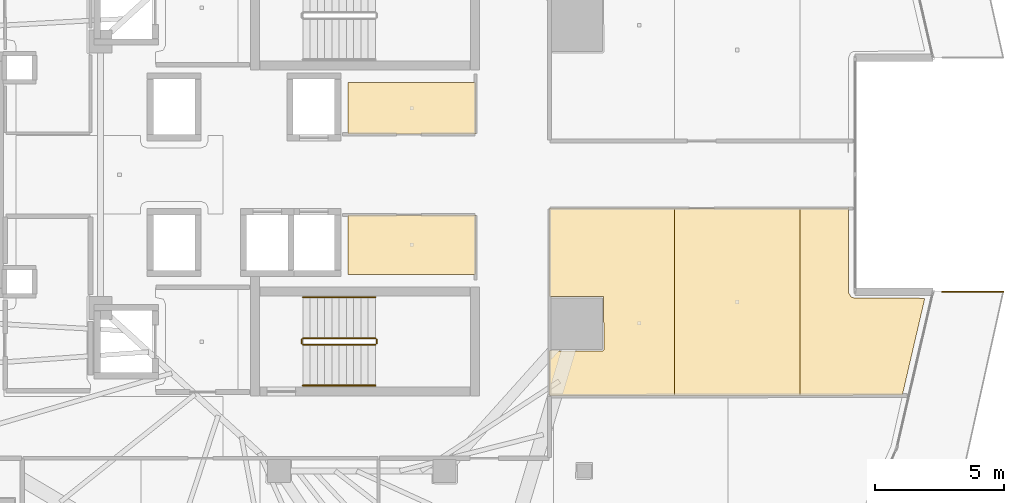
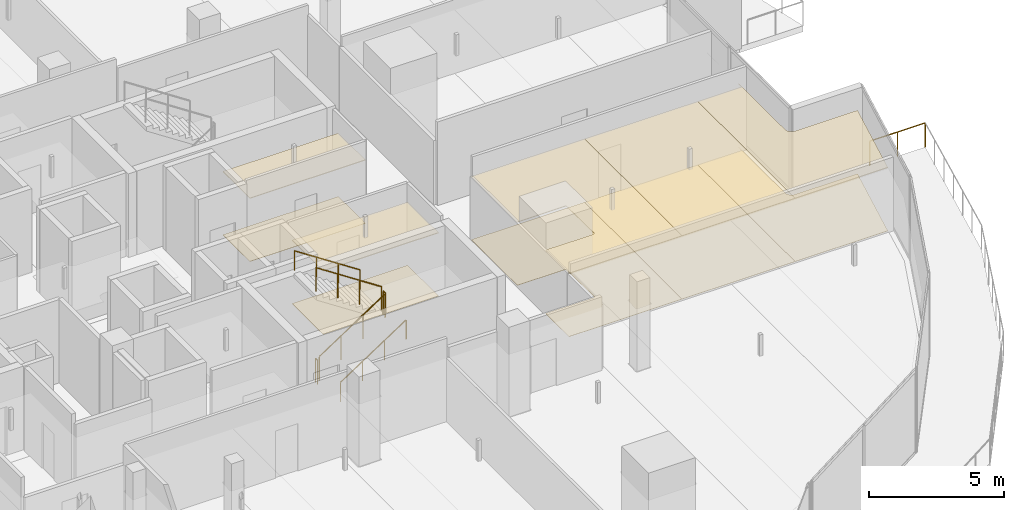
# One storey, part 34 of 36: 10 coverings, 7 railings.
"""IFC4 building model written with IfcOpenShell, lengths in metres."""

from ifc_helpers import new_model, si_unit, direction, frame, origin, origin_2d, place, context, subcontext, project, spatial, polyline, circle, outline, extrude, material, layer, layer_set, type_object, element, save


model = new_model("IFC4")

# Units and contexts
model_context = context("Model", 3, precision=1e-05, world=origin(), true_north=direction((0.0, 1.0)))
body_context = subcontext(model_context, "Body", "Model", "MODEL_VIEW")
ifc_project = project(units=[si_unit("LENGTHUNIT", "METRE"), si_unit("AREAUNIT", "SQUARE_METRE"), si_unit("VOLUMEUNIT", "CUBIC_METRE"), si_unit("PLANEANGLEUNIT", "RADIAN"), si_unit("MASSUNIT", "GRAM", prefix="KILO")], contexts=[model_context])

# Site, building, storey
site_placement = place(None, origin())
site = spatial("IfcSite", under=ifc_project, at=site_placement, CompositionType="ELEMENT")
building_placement = place(site_placement, origin())
building = spatial("IfcBuilding", under=site, at=building_placement, Name="Qorvath Tower", CompositionType="ELEMENT")
storey_placement = place(building_placement, frame((0.0, 0.0, 205.050048828125)))
storey = spatial("IfcBuildingStorey", under=building, at=storey_placement, Name="L47", CompositionType="ELEMENT", Elevation=205.050048828125)

# Coverings
ifc_material_1 = material(Name="Acoustic mineral fibre ceiling tile", Category="gypsum")
ifc_layer_1 = layer(ifc_material_1, 0.030029296875)
ifc_layer_set_1 = layer_set([ifc_layer_1], Name="COV-CEIL")
covering_type_1 = type_object("IfcCoveringType", Name="COV-CEIL", PredefinedType="CEILING", material=ifc_layer_set_1)
covering_1_placement = place(storey_placement, frame((0.0, 0.0, 2.849853515625)))
element("IfcCovering", 1, at=covering_1_placement, inside=storey, type_object=covering_type_1, Name="L47 Suspended Acoustic Ceiling 003", PredefinedType="CEILING", context=body_context, shape_type="SweptSolid", body=[
    extrude(outline(polyline([(-16.0048828125, 3.56005859375), (-20.93994140625, 3.56005859375), (-20.93994140625, 1.56494140625), (-16.0048828125, 1.56494140625), (-16.0048828125, 3.56005859375)])), origin(), (0.0, 0.0, 1.0), 0.030029296875),
])
covering_2_placement = place(storey_placement, frame((0.0, 0.0, 2.849853515625)))
element("IfcCovering", 2, at=covering_2_placement, inside=storey, type_object=covering_type_1, Name="L47 Suspended Acoustic Ceiling 004", PredefinedType="CEILING", context=body_context, shape_type="SweptSolid", body=[
    extrude(outline(polyline([(-20.93994140625, -1.56494140625), (-20.93994140625, -3.85009765625), (-16.0048828125, -3.85009765625), (-16.0048828125, -1.56494140625), (-20.93994140625, -1.56494140625)])), origin(), (0.0, 0.0, 1.0), 0.030029296875),
])
covering_3_placement = place(storey_placement, frame((0.0, 0.0, 2.849853515625)))
element("IfcCovering", 3, at=covering_3_placement, inside=storey, type_object=covering_type_1, Name="L47 Suspended Acoustic Ceiling 026", PredefinedType="CEILING", context=body_context, shape_type="SweptSolid", body=[
    extrude(outline(polyline([(-8.3037109375, -8.531494140625), (-8.3037109375, -1.31298828125), (-13.136962890625, -1.31298828125), (-13.136962890625, -4.714599609375), (-11.054443359375, -4.715576171875), (-11.036865234375, -6.7578125), (-11.0966796875, -6.81787109375), (-13.136962890625, -6.80126953125), (-13.136962890625, -8.537109375), (-8.3037109375, -8.531494140625)])), origin(), (0.0, 0.0, 1.0), 0.030029296875),
])
covering_4_placement = place(storey_placement, frame((0.0, 0.0, 2.849853515625)))
element("IfcCovering", 4, at=covering_4_placement, inside=storey, type_object=covering_type_1, Name="L47 Suspended Acoustic Ceiling 027", PredefinedType="CEILING", context=body_context, shape_type="SweptSolid", body=[
    extrude(outline(polyline([(-3.47021484375, -8.526123046875), (-3.47021484375, -1.31298828125), (-8.3037109375, -1.31298828125), (-8.3037109375, -8.531494140625), (-3.47021484375, -8.526123046875)])), origin(), (0.0, 0.0, 1.0), 0.030029296875),
])
covering_5_placement = place(storey_placement, frame((0.0, 0.0, 2.849853515625)))
element("IfcCovering", 5, at=covering_5_placement, inside=storey, type_object=covering_type_1, Name="L47 Suspended Acoustic Ceiling 028", PredefinedType="CEILING", context=body_context, shape_type="SweptSolid", body=[
    extrude(outline(polyline([(-1.491943359375, -4.715576171875), (-1.579345703125, -4.568603515625), (-1.583984375, -1.0869140625), (-1.60107421875, -1.31298828125), (-3.47021484375, -1.31298828125), (-3.47021484375, -8.526123046875), (0.49267578125, -8.521728515625), (1.363037109375, -4.77490234375), (-1.353515625, -4.773681640625), (-1.491943359375, -4.715576171875)])), origin(), (0.0, 0.0, 1.0), 0.030029296875),
])
ifc_material_2 = material(Name="Low-VOC modular carpet tile", Category="textile")
ifc_layer_2 = layer(ifc_material_2, 0.014892578125)
ifc_layer_set_2 = layer_set([ifc_layer_2], Name="COV-FLOOR-CPT")
covering_type_2 = type_object("IfcCoveringType", Name="COV-FLOOR-CPT", PredefinedType="FLOORING", material=ifc_layer_set_2)
covering_6_placement = place(storey_placement, origin())
element("IfcCovering", 6, at=covering_6_placement, inside=storey, type_object=covering_type_2, Name="L47 Floor Finish 003", PredefinedType="FLOORING", context=body_context, shape_type="SweptSolid", body=[
    extrude(outline(polyline([(-16.0048828125, 3.56005859375), (-20.93994140625, 3.56005859375), (-20.93994140625, 1.56494140625), (-16.0048828125, 1.56494140625), (-16.0048828125, 3.56005859375)])), origin(), (0.0, 0.0, 1.0), 0.014892578125),
])
covering_7_placement = place(storey_placement, origin())
element("IfcCovering", 7, at=covering_7_placement, inside=storey, type_object=covering_type_2, Name="L47 Floor Finish 004", PredefinedType="FLOORING", context=body_context, shape_type="SweptSolid", body=[
    extrude(outline(polyline([(-20.93994140625, -1.56494140625), (-20.93994140625, -3.85009765625), (-16.0048828125, -3.85009765625), (-16.0048828125, -1.56494140625), (-20.93994140625, -1.56494140625)])), origin(), (0.0, 0.0, 1.0), 0.014892578125),
])
covering_8_placement = place(storey_placement, origin())
element("IfcCovering", 8, at=covering_8_placement, inside=storey, type_object=covering_type_2, Name="L47 Floor Finish 026", PredefinedType="FLOORING", context=body_context, shape_type="SweptSolid", body=[
    extrude(outline(polyline([(-8.3037109375, -8.531494140625), (-8.3037109375, -1.31298828125), (-13.136962890625, -1.31298828125), (-13.136962890625, -4.714599609375), (-11.054443359375, -4.715576171875), (-11.036865234375, -6.7578125), (-11.0966796875, -6.81787109375), (-13.136962890625, -6.80126953125), (-13.136962890625, -8.537109375), (-8.3037109375, -8.531494140625)])), origin(), (0.0, 0.0, 1.0), 0.014892578125),
])
covering_9_placement = place(storey_placement, origin())
element("IfcCovering", 9, at=covering_9_placement, inside=storey, type_object=covering_type_2, Name="L47 Floor Finish 027", PredefinedType="FLOORING", context=body_context, shape_type="SweptSolid", body=[
    extrude(outline(polyline([(-3.47021484375, -8.526123046875), (-3.47021484375, -1.31298828125), (-8.3037109375, -1.31298828125), (-8.3037109375, -8.531494140625), (-3.47021484375, -8.526123046875)])), origin(), (0.0, 0.0, 1.0), 0.014892578125),
])
covering_10_placement = place(storey_placement, origin())
element("IfcCovering", 10, at=covering_10_placement, inside=storey, type_object=covering_type_2, Name="L47 Floor Finish 028", PredefinedType="FLOORING", context=body_context, shape_type="SweptSolid", body=[
    extrude(outline(polyline([(-1.491943359375, -4.715576171875), (-1.579345703125, -4.568603515625), (-1.583984375, -1.0869140625), (-1.60107421875, -1.31298828125), (-3.47021484375, -1.31298828125), (-3.47021484375, -8.526123046875), (0.49267578125, -8.521728515625), (1.363037109375, -4.77490234375), (-1.353515625, -4.773681640625), (-1.491943359375, -4.715576171875)])), origin(), (0.0, 0.0, 1.0), 0.014892578125),
])

# Railings
ifc_material_3 = material(Name="Laminated safety glass and stainless steel AISI 316", Category="steel")
railing_type_1 = type_object("IfcRailingType", Name="RL-EXT-GRD", PredefinedType="GUARDRAIL", material=ifc_material_3)
railing_1_placement = place(storey_placement, frame((2.03369140625, -4.519775390625, 0.0)))
element("IfcRailing", 11, at=railing_1_placement, inside=storey, type_object=railing_type_1, Name="Loggia Perimeter Guardrail L47-1.2", PredefinedType="GUARDRAIL", context=body_context, shape_type="SweptSolid", body=[
    extrude(circle(Radius=0.02392578125, at=origin_2d()), frame((0.0, 0.0, 1.09619140625), z_axis=(1.0, 0.0, 0.0), x_axis=(0.0, 1.0, 0.0)), (0.0, 0.0, 1.0), 2.36669921875),
    extrude(circle(Radius=0.02099609375, at=origin_2d()), origin(), (0.0, 0.0, 1.0), 1.072021484375),
    extrude(circle(Radius=0.02099609375, at=origin_2d()), frame((1.183349609375, 0.0, 0.0)), (0.0, 0.0, 1.0), 1.072021484375),
    extrude(circle(Radius=0.02099609375, at=origin_2d()), frame((2.36669921875, 0.0, 0.0)), (0.0, 0.0, 1.0), 1.072021484375),
])
ifc_material_4 = material(Name="Painted galvanised steel", Category="steel")
railing_type_2 = type_object("IfcRailingType", Name="RL-STR-GRD", PredefinedType="GUARDRAIL", material=ifc_material_4)
railing_2_placement = place(storey_placement, frame((-22.669921875, -6.570068359375, 0.18408203125)))
element("IfcRailing", 12, at=railing_2_placement, inside=storey, type_object=railing_type_2, Name="L47 TS2 stair guard 1", PredefinedType="GUARDRAIL", context=body_context, shape_type="SweptSolid", body=[
    extrude(circle(Radius=0.02392578125, at=origin_2d()), frame((0.0, 0.0, 1.076171875), z_axis=(0.835575518608, 0.0, 0.549375602573), x_axis=(0.0, 1.0, 0.0)), (0.0, 0.0, 1.0), 3.350830078125),
    extrude(circle(Radius=0.02099609375, at=origin_2d()), origin(), (0.0, 0.0, 1.0), 1.052001953125),
    extrude(circle(Radius=0.02099609375, at=origin_2d()), frame((0.933349609375, 0.0, 0.613525390625)), (0.0, 0.0, 1.0), 1.052001953125),
    extrude(circle(Radius=0.02099609375, at=origin_2d()), frame((1.866455078125, 0.0, 1.227294921875)), (0.0, 0.0, 1.0), 1.052001953125),
    extrude(circle(Radius=0.02099609375, at=origin_2d()), frame((2.7998046875, 0.0, 1.8408203125)), (0.0, 0.0, 1.0), 1.052001953125),
])
railing_3_placement = place(storey_placement, frame((-19.820068359375, -6.52001953125, 2.02490234375)))
element("IfcRailing", 13, at=railing_3_placement, inside=storey, type_object=railing_type_2, Name="L47 TS2 stair guard 2", PredefinedType="GUARDRAIL", context=body_context, shape_type="SweptSolid", body=[
    extrude(circle(Radius=0.02392578125, at=origin_2d()), frame((0.0, 0.0, 1.076171875), z_axis=(0.0, 1.0, 0.0), x_axis=(-1.0, 0.0, 0.0)), (0.0, 0.0, 1.0), 0.14990234375),
    extrude(circle(Radius=0.02099609375, at=origin_2d()), origin(), (0.0, 0.0, 1.0), 1.052001953125),
    extrude(circle(Radius=0.02099609375, at=origin_2d()), frame((0.0, 0.14990234375, 0.0)), (0.0, 0.0, 1.0), 1.052001953125),
])
railing_4_placement = place(storey_placement, frame((-19.8701171875, -6.320068359375, 2.208984375)))
element("IfcRailing", 14, at=railing_4_placement, inside=storey, type_object=railing_type_2, Name="L47 TS2 stair guard 3", PredefinedType="GUARDRAIL", context=body_context, shape_type="SweptSolid", body=[
    extrude(circle(Radius=0.02392578125, at=origin_2d()), frame((0.0, 0.0, 1.076171875), z_axis=(-0.835542071712, 0.0, 0.549426470421), x_axis=(0.0, -1.0, 0.0)), (0.0, 0.0, 1.0), 3.350830078125),
    extrude(circle(Radius=0.02099609375, at=origin_2d()), origin(), (0.0, 0.0, 1.0), 1.052001953125),
    extrude(circle(Radius=0.02099609375, at=origin_2d()), frame((-0.933349609375, 0.0, 0.61376953125)), (0.0, 0.0, 1.0), 1.052001953125),
    extrude(circle(Radius=0.02099609375, at=origin_2d()), frame((-1.866455078125, 0.0, 1.227294921875)), (0.0, 0.0, 1.0), 1.052001953125),
    extrude(circle(Radius=0.02099609375, at=origin_2d()), frame((-2.7998046875, 0.0, 1.841064453125)), (0.0, 0.0, 1.0), 1.052001953125),
])
railing_5_placement = place(storey_placement, frame((-22.719970703125, -6.52001953125, 0.0)))
element("IfcRailing", 15, at=railing_5_placement, inside=storey, type_object=railing_type_2, Name="L47 TS2 stair guard 4", PredefinedType="GUARDRAIL", context=body_context, shape_type="SweptSolid", body=[
    extrude(circle(Radius=0.02392578125, at=origin_2d()), frame((0.0, 0.0, 1.076171875), z_axis=(0.0, 1.0, 0.0), x_axis=(-1.0, 0.0, 0.0)), (0.0, 0.0, 1.0), 0.14990234375),
    extrude(circle(Radius=0.02099609375, at=origin_2d()), origin(), (0.0, 0.0, 1.0), 1.052001953125),
    extrude(circle(Radius=0.02099609375, at=origin_2d()), frame((0.0, 0.14990234375, 0.0)), (0.0, 0.0, 1.0), 1.052001953125),
])
ifc_material_5 = material(Name="Brushed stainless steel AISI 304", Category="steel")
railing_type_3 = type_object("IfcRailingType", Name="RL-STR-HND", PredefinedType="HANDRAIL", material=ifc_material_5)
railing_6_placement = place(storey_placement, frame((-22.669921875, -8.14990234375, 0.18408203125)))
element("IfcRailing", 16, at=railing_6_placement, inside=storey, type_object=railing_type_3, Name="L47 TS2 stair handrail 1", PredefinedType="HANDRAIL", context=body_context, shape_type="SweptSolid", body=[
    extrude(circle(Radius=0.02392578125, at=origin_2d()), frame((0.0, 0.0, 0.8759765625), z_axis=(0.835575518608, 0.0, 0.549375602573), x_axis=(0.0, 1.0, 0.0)), (0.0, 0.0, 1.0), 3.350830078125),
    extrude(circle(Radius=0.02099609375, at=origin_2d()), origin(), (0.0, 0.0, 1.0), 0.851806640625),
    extrude(circle(Radius=0.02099609375, at=origin_2d()), frame((0.933349609375, 0.0, 0.613525390625)), (0.0, 0.0, 1.0), 0.851806640625),
    extrude(circle(Radius=0.02099609375, at=origin_2d()), frame((1.866455078125, 0.0, 1.227294921875)), (0.0, 0.0, 1.0), 0.851806640625),
    extrude(circle(Radius=0.02099609375, at=origin_2d()), frame((2.7998046875, 0.0, 1.8408203125)), (0.0, 0.0, 1.0), 0.851806640625),
])
railing_7_placement = place(storey_placement, frame((-19.8701171875, -4.739990234375, 2.208984375)))
element("IfcRailing", 17, at=railing_7_placement, inside=storey, type_object=railing_type_3, Name="L47 TS2 stair handrail 2", PredefinedType="HANDRAIL", context=body_context, shape_type="SweptSolid", body=[
    extrude(circle(Radius=0.02392578125, at=origin_2d()), frame((0.0, 0.0, 0.8759765625), z_axis=(-0.835542071712, 0.0, 0.549426470421), x_axis=(0.0, -1.0, 0.0)), (0.0, 0.0, 1.0), 3.350830078125),
    extrude(circle(Radius=0.02099609375, at=origin_2d()), origin(), (0.0, 0.0, 1.0), 0.851806640625),
    extrude(circle(Radius=0.02099609375, at=origin_2d()), frame((-0.933349609375, 0.0, 0.61376953125)), (0.0, 0.0, 1.0), 0.851806640625),
    extrude(circle(Radius=0.02099609375, at=origin_2d()), frame((-1.866455078125, 0.0, 1.227294921875)), (0.0, 0.0, 1.0), 0.851806640625),
    extrude(circle(Radius=0.02099609375, at=origin_2d()), frame((-2.7998046875, 0.0, 1.841064453125)), (0.0, 0.0, 1.0), 0.851806640625),
])

save(model, "model.ifc")
